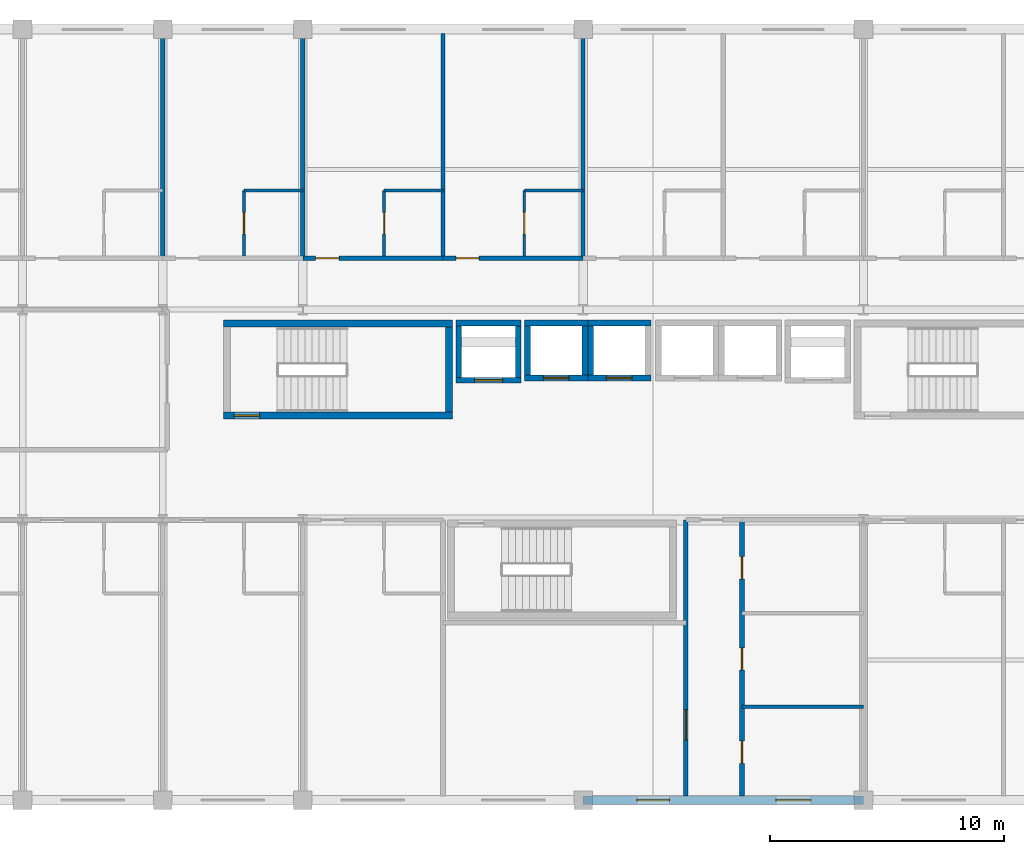
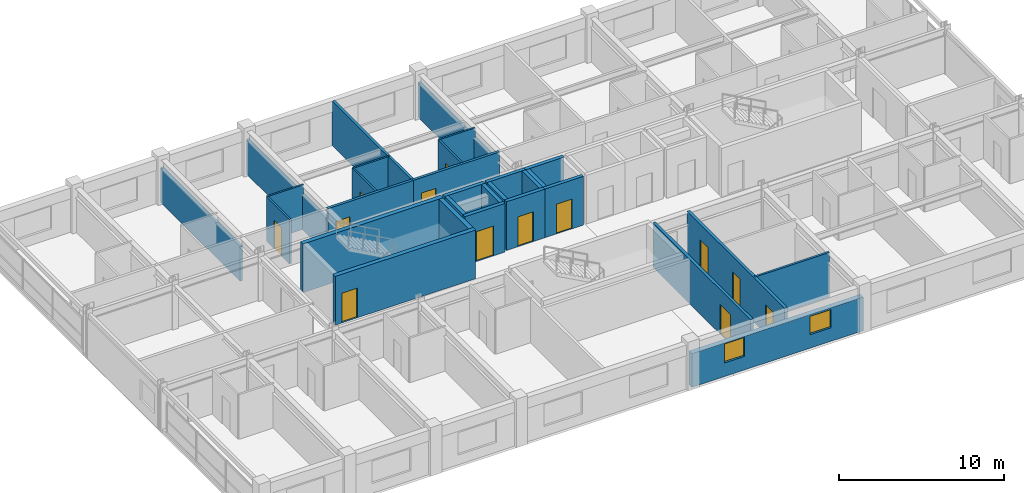
# One storey, part 22 of 26: 30 walls, 13 doors, 2 windows, 15 openings.
"""IFC4 building model written with IfcOpenShell, lengths in metres."""

import ifcopenshell
import ifcopenshell.guid

model = None  # the IFC model being written
_history = None  # IfcOwnerHistory: only IFC2X3 demands one
_inside = {}  # id of a spatial element -> (the spatial element, [elements in it])
_under = {}  # id of a project, library or spatial element -> (it, [spatial elements below it])
_declared = {}  # id of a project -> (the project, [libraries it declares])
_typed = {}  # id of a type object -> (the type object, [elements of that type])
_made_of = {}  # id of a material, layer set ... -> (it, [elements and type objects made of it])


def new_model(schema):
    """Start an empty IFC model of exactly this schema.

    Asked for "IFC4X3", IfcOpenShell would pick the latest addendum, in which some entities
    have other attributes; the version numbers below select the first issue.
    IFC2X3 requires an IfcOwnerHistory on every rooted entity: one is made here for all.
    """
    global model, _history
    if schema == "IFC4X3":
        model = ifcopenshell.file(schema_version=(4, 3, 0, 0))
    else:
        model = ifcopenshell.file(schema=schema)
    _inside.clear()
    _under.clear()
    _declared.clear()
    _typed.clear()
    _made_of.clear()
    _history = None
    if model.schema == "IFC2X3":
        org = make("IfcOrganization", Name="unknown")
        user = make(
            "IfcPersonAndOrganization",
            ThePerson=make("IfcPerson", FamilyName="unknown"),
            TheOrganization=org,
        )
        app = make(
            "IfcApplication",
            ApplicationDeveloper=org,
            Version="unknown",
            ApplicationFullName="unknown",
            ApplicationIdentifier="unknown",
        )
        _history = make(
            "IfcOwnerHistory",
            OwningUser=user,
            OwningApplication=app,
            ChangeAction="ADDED",
            CreationDate=0,
        )
    return model


def make(cls, **values):
    """One entity of the class cls with the attributes given. An attribute that is None is left unset."""
    return model.create_entity(
        cls, **{name: value for name, value in values.items() if value is not None}
    )


def rooted(cls, **values):
    """An entity with a GlobalId (a new one), such as an element, a storey or a relation."""
    return make(cls, GlobalId=ifcopenshell.guid.new(), OwnerHistory=_history, **values)


def si_unit(unit_type, name, prefix=None):
    """IfcSIUnit, for example si_unit("LENGTHUNIT", "METRE", prefix="MILLI")."""
    return make("IfcSIUnit", UnitType=unit_type, Prefix=prefix, Name=name)


def assignment(units):
    """IfcUnitAssignment: the units of a project."""
    return None if units is None else make("IfcUnitAssignment", Units=units)


def point(xyz):
    """IfcCartesianPoint."""
    return None if xyz is None else make("IfcCartesianPoint", Coordinates=xyz)


def direction(xyz):
    """IfcDirection."""
    return None if xyz is None else make("IfcDirection", DirectionRatios=xyz)


def frame(location, z_axis=None, x_axis=None):
    """IfcAxis2Placement3D, a coordinate frame: its origin and axes. An axis left out is left unset."""
    return make(
        "IfcAxis2Placement3D",
        Location=point(location),
        Axis=direction(z_axis),
        RefDirection=direction(x_axis),
    )


def frame_2d(location, x_axis=None):
    """IfcAxis2Placement2D, a coordinate frame in the plane: its origin and x axis."""
    return make(
        "IfcAxis2Placement2D", Location=point(location), RefDirection=direction(x_axis)
    )


def origin():
    """The frame at (0, 0, 0) with its axes left unset."""
    return frame((0.0, 0.0, 0.0))


def place(relative_to, where):
    """IfcLocalPlacement: puts the frame where relative to a parent placement (None: the world)."""
    return make(
        "IfcLocalPlacement", PlacementRelTo=relative_to, RelativePlacement=where
    )


def context(
    kind, dimensions, precision=None, world=None, true_north=None, identifier=None
):
    """IfcGeometricRepresentationContext, for example the 3D "Model" context."""
    return make(
        "IfcGeometricRepresentationContext",
        ContextIdentifier=identifier,
        ContextType=kind,
        CoordinateSpaceDimension=dimensions,
        Precision=precision,
        WorldCoordinateSystem=world,
        TrueNorth=true_north,
    )


def subcontext(parent, identifier, kind, view, scale=None):
    """IfcGeometricRepresentationSubContext, for example "Body" below "Model"."""
    return make(
        "IfcGeometricRepresentationSubContext",
        ContextIdentifier=identifier,
        ContextType=kind,
        ParentContext=parent,
        TargetScale=scale,
        TargetView=view,
    )


def project(units=None, contexts=None):
    """IfcProject with its units and contexts."""
    return rooted(
        "IfcProject",
        Name="project",
        RepresentationContexts=contexts,
        UnitsInContext=assignment(units),
    )


def spatial(cls, under=None, at=None, **own):
    """A site, building, storey or space (cls), placed at a placement, below another one or the project."""
    s = rooted(cls, ObjectPlacement=at, **own)
    if under is not None:
        _under.setdefault(under.id(), (under, []))[1].append(s)
    return s


def profile(cls, at=None, kind="AREA", **sizes):
    """A parametric profile (cls). Its sizes go by their IFC names, for example OverallWidth=200.0."""
    return make(cls, ProfileType=kind, Position=at, **sizes)


def rectangle(**sizes):
    """IfcRectangleProfileDef."""
    return profile("IfcRectangleProfileDef", **sizes)


def extrude(swept, where, along, depth):
    """IfcExtrudedAreaSolid: the profile swept, set in the frame where, extruded along a direction by depth."""
    return make(
        "IfcExtrudedAreaSolid",
        SweptArea=swept,
        Position=where,
        ExtrudedDirection=direction(along),
        Depth=depth,
    )


def shape(context_of_items, identifier, shape_type, items):
    """IfcShapeRepresentation: the items that make up one representation, for example the "Body"."""
    return make(
        "IfcShapeRepresentation",
        ContextOfItems=context_of_items,
        RepresentationIdentifier=identifier,
        RepresentationType=shape_type,
        Items=items,
    )


def material(Name=None, Category=None):
    """IfcMaterial."""
    return make("IfcMaterial", Name=Name, Category=Category)


def layer(
    of_material, thickness, ventilated=None, Name=None, Category=None, Priority=None
):
    """IfcMaterialLayer: one layer of a wall or slab, of a material (None: an air gap)."""
    return make(
        "IfcMaterialLayer",
        Material=of_material,
        LayerThickness=thickness,
        IsVentilated=ventilated,
        Name=Name,
        Category=Category,
        Priority=Priority,
    )


def layer_set(layers, Name=None):
    """IfcMaterialLayerSet."""
    return make("IfcMaterialLayerSet", MaterialLayers=layers, LayerSetName=Name)


def made_of(thing, what):
    """Note that an element or type object is made of a material, layer set ...; save() writes the relation."""
    if what is not None:
        _made_of.setdefault(what.id(), (what, []))[1].append(thing)
    return thing


def type_object(cls, material=None, **own):
    """A type object (cls), such as IfcWallType, which elements share."""
    return made_of(rooted(cls, **own), material)


def element(
    cls,
    number,
    at=None,
    inside=None,
    cuts=None,
    type_object=None,
    material=None,
    context=None,
    identifier="Body",
    shape_type=None,
    held_by="IfcProductDefinitionShape",
    body=None,
    shapes=None,
    **own,
):
    """One element of the class cls, such as IfcWall. Its Tag is "e" and its number.

    at: its placement. inside: the storey or other place that contains it. cuts: it is an
    opening in that element (IfcRelVoidsElement). A single representation is given by context,
    identifier, shape_type and body (its items); several are given by shapes. held_by: the class
    of the entity that holds the representations. save() writes the other relations.
    """
    e = rooted(cls, Tag="e%d" % number, ObjectPlacement=at, **own)
    if body is not None:
        shapes = [shape(context, identifier, shape_type, body)]
    if shapes is not None:
        e.Representation = make(held_by, Representations=shapes)
    if inside is not None:
        _inside.setdefault(inside.id(), (inside, []))[1].append(e)
    if cuts is not None:
        rooted(
            "IfcRelVoidsElement", RelatingBuildingElement=cuts, RelatedOpeningElement=e
        )
    if type_object is not None:
        _typed.setdefault(type_object.id(), (type_object, []))[1].append(e)
    return made_of(e, material)


def fill(opening, filler):
    """IfcRelFillsElement: the door or window that sits in an opening."""
    return rooted(
        "IfcRelFillsElement",
        RelatingOpeningElement=opening,
        RelatedBuildingElement=filler,
    )


def aggregate(whole, parts):
    """IfcRelAggregates: a whole, such as a stair, and the parts it consists of."""
    return rooted("IfcRelAggregates", RelatingObject=whole, RelatedObjects=parts)


def save(model, path):
    """Write the relations noted so far, then the file.

    IfcRelAggregates (storeys below a building ...), IfcRelContainedInSpatialStructure (elements
    in a storey), IfcRelDefinesByType, IfcRelAssociatesMaterial and IfcRelDeclares: one each for
    every whole, place, type object, material and project.
    """
    for whole, parts in _under.values():
        aggregate(whole, parts)
    for where, things in _inside.values():
        rooted(
            "IfcRelContainedInSpatialStructure",
            RelatedElements=things,
            RelatingStructure=where,
        )
    for kind, things in _typed.values():
        rooted("IfcRelDefinesByType", RelatedObjects=things, RelatingType=kind)
    for what, things in _made_of.values():
        rooted("IfcRelAssociatesMaterial", RelatedObjects=things, RelatingMaterial=what)
    for by, libraries in _declared.values():
        rooted("IfcRelDeclares", RelatingContext=by, RelatedDefinitions=libraries)
    model.write(path)


model = new_model("IFC4")

# Units and contexts
model_context = context("Model", 3, precision=1e-05, world=origin(), true_north=direction((0.0, 1.0)))
body_context = subcontext(model_context, "Body", "Model", "MODEL_VIEW")
ifc_project = project(units=[si_unit("LENGTHUNIT", "METRE"), si_unit("AREAUNIT", "SQUARE_METRE"), si_unit("VOLUMEUNIT", "CUBIC_METRE"), si_unit("PLANEANGLEUNIT", "RADIAN"), si_unit("MASSUNIT", "GRAM", prefix="KILO")], contexts=[model_context])

# Site, building, storey
site_placement = place(None, origin())
site = spatial("IfcSite", under=ifc_project, at=site_placement, CompositionType="ELEMENT")
building_placement = place(site_placement, origin())
building = spatial("IfcBuilding", under=site, at=building_placement, Name="Kaldorvane Square Convention Centre", CompositionType="ELEMENT")
storey_placement = place(building_placement, frame((0.0, 0.0, 42.0)))
storey = spatial("IfcBuildingStorey", under=building, at=storey_placement, Name="L09", CompositionType="ELEMENT", Elevation=42.0)

# Wall, opening, door
ifc_material_1 = material(Name="Fire-Rated Gypsum Board on Acoustic Steel Studs", Category="steel")
ifc_layer_1 = layer(ifc_material_1, 0.125)
ifc_layer_set_1 = layer_set([ifc_layer_1], Name="Fire-Rated Gypsum Board on Acoustic Steel Studs")
wall_type_1 = type_object("IfcWallType", Name="WL-BATH-125", PredefinedType="PARTITIONING", material=ifc_layer_set_1)
wall_1_placement = place(storey_placement, frame((39.47999572753906, 107.28999328613281, 0.0), z_axis=(0.0, 0.0, 1.0), x_axis=(0.0, 1.0, 0.0)))
wall_1 = element("IfcWall", 1, at=wall_1_placement, inside=storey, type_object=wall_type_1, Name="En-Suite 903 West Wall", PredefinedType="PARTITIONING", context=body_context, shape_type="SweptSolid", body=[
    extrude(rectangle(XDim=2.8100128173828125, YDim=0.125, at=frame_2d((1.404998779296875, 0.0))), origin(), (0.0, 0.0, 1.0), 3.2899932861328125),
])
opening_1_placement = place(wall_1_placement, frame((0.9499969482421875, 0.0, 0.0)))
opening_1 = element("IfcOpeningElement", 2, at=opening_1_placement, cuts=wall_1, Name="Opening ID-12", PredefinedType="OPENING", context=body_context, shape_type="SweptSolid", body=[
    extrude(rectangle(XDim=0.9199981689453125, YDim=2.100006103515625, at=frame_2d((0.459991455078125, 1.0500030517578125))), frame((0.0, 0.0774993896484375, 0.0), z_axis=(0.0, -1.0, 0.0), x_axis=(1.0, 0.0, 0.0)), (0.0, 0.0, 1.0), 0.154998779296875),
])
ifc_material_2 = material(Name="Architectural Solid-Core White Oak")
door_type_1 = type_object("IfcDoorType", Name="DR-BATH-0920X2100", OperationType="SINGLE_SWING_RIGHT", PredefinedType="DOOR", material=ifc_material_2)
door_1_placement = place(opening_1_placement, origin())
door_1 = element("IfcDoor", 3, at=door_1_placement, inside=storey, type_object=door_type_1, Name="En-Suite Bathroom 903 Door", OperationType="SINGLE_SWING_RIGHT", OverallHeight=2.100006103515625, OverallWidth=0.9199981689453125, PredefinedType="DOOR", context=body_context, shape_type="SweptSolid", body=[
    extrude(rectangle(XDim=0.9199981689453125, YDim=2.100006103515625, at=frame_2d((0.459991455078125, 1.0500030517578125))), frame((0.0, 0.024993896484375, 0.0), z_axis=(0.0, -1.0, 0.0), x_axis=(1.0, 0.0, 0.0)), (0.0, 0.0, 1.0), 0.0500030517578125),
])
fill(opening_1, door_1)

# Wall
wall_2_placement = place(storey_placement, frame((39.47999572753906, 110.10000610351562, 0.0), z_axis=(0.0, 0.0, 1.0), x_axis=(1.0, 0.0, 0.0)))
element("IfcWall", 4, at=wall_2_placement, inside=storey, type_object=wall_type_1, Name="En-Suite 903 North Wall", PredefinedType="PARTITIONING", context=body_context, shape_type="SweptSolid", body=[
    extrude(rectangle(XDim=2.5200042724609375, YDim=0.125, at=frame_2d((1.260009765625, 0.0))), origin(), (0.0, 0.0, 1.0), 3.2899932861328125),
])

# Wall, opening, door
wall_3_placement = place(storey_placement, frame((45.47999572753906, 107.28999328613281, 0.0), z_axis=(0.0, 0.0, 1.0), x_axis=(0.0, 1.0, 0.0)))
wall_3 = element("IfcWall", 5, at=wall_3_placement, inside=storey, type_object=wall_type_1, Name="En-Suite 904 West Wall", PredefinedType="PARTITIONING", context=body_context, shape_type="SweptSolid", body=[
    extrude(rectangle(XDim=2.8100128173828125, YDim=0.125, at=frame_2d((1.404998779296875, 0.0))), origin(), (0.0, 0.0, 1.0), 3.2899932861328125),
])
opening_2_placement = place(wall_3_placement, frame((0.9499969482421875, 0.0, 0.0)))
opening_2 = element("IfcOpeningElement", 6, at=opening_2_placement, cuts=wall_3, Name="Opening ID-12", PredefinedType="OPENING", context=body_context, shape_type="SweptSolid", body=[
    extrude(rectangle(XDim=0.9199981689453125, YDim=2.100006103515625, at=frame_2d((0.459991455078125, 1.0500030517578125))), frame((0.0, 0.0774993896484375, 0.0), z_axis=(0.0, -1.0, 0.0), x_axis=(1.0, 0.0, 0.0)), (0.0, 0.0, 1.0), 0.154998779296875),
])
door_2_placement = place(opening_2_placement, origin())
door_2 = element("IfcDoor", 7, at=door_2_placement, inside=storey, type_object=door_type_1, Name="En-Suite Bathroom 904 Door", OperationType="SINGLE_SWING_RIGHT", OverallHeight=2.100006103515625, OverallWidth=0.9199981689453125, PredefinedType="DOOR", context=body_context, shape_type="SweptSolid", body=[
    extrude(rectangle(XDim=0.9199981689453125, YDim=2.100006103515625, at=frame_2d((0.459991455078125, 1.0500030517578125))), frame((0.0, 0.024993896484375, 0.0), z_axis=(0.0, -1.0, 0.0), x_axis=(1.0, 0.0, 0.0)), (0.0, 0.0, 1.0), 0.0500030517578125),
])
fill(opening_2, door_2)

# Wall
wall_4_placement = place(storey_placement, frame((45.47999572753906, 110.10000610351562, 0.0), z_axis=(0.0, 0.0, 1.0), x_axis=(1.0, 0.0, 0.0)))
element("IfcWall", 8, at=wall_4_placement, inside=storey, type_object=wall_type_1, Name="En-Suite 904 North Wall", PredefinedType="PARTITIONING", context=body_context, shape_type="SweptSolid", body=[
    extrude(rectangle(XDim=2.5200042724609375, YDim=0.125, at=frame_2d((1.260009765625, 0.0))), origin(), (0.0, 0.0, 1.0), 3.2899932861328125),
])

# Wall, opening, door
wall_5_placement = place(storey_placement, frame((51.47999572753906, 107.28999328613281, 0.0), z_axis=(0.0, 0.0, 1.0), x_axis=(0.0, 1.0, 0.0)))
wall_5 = element("IfcWall", 9, at=wall_5_placement, inside=storey, type_object=wall_type_1, Name="En-Suite 905 West Wall", PredefinedType="PARTITIONING", context=body_context, shape_type="SweptSolid", body=[
    extrude(rectangle(XDim=2.8100128173828125, YDim=0.125, at=frame_2d((1.404998779296875, 0.0))), origin(), (0.0, 0.0, 1.0), 3.2899932861328125),
])
opening_3_placement = place(wall_5_placement, frame((0.9499969482421875, 0.0, 0.0)))
opening_3 = element("IfcOpeningElement", 10, at=opening_3_placement, cuts=wall_5, Name="Opening ID-12", PredefinedType="OPENING", context=body_context, shape_type="SweptSolid", body=[
    extrude(rectangle(XDim=0.9199981689453125, YDim=2.100006103515625, at=frame_2d((0.459991455078125, 1.0500030517578125))), frame((0.0, 0.0774993896484375, 0.0), z_axis=(0.0, -1.0, 0.0), x_axis=(1.0, 0.0, 0.0)), (0.0, 0.0, 1.0), 0.154998779296875),
])
door_3_placement = place(opening_3_placement, origin())
door_3 = element("IfcDoor", 11, at=door_3_placement, inside=storey, type_object=door_type_1, Name="En-Suite Bathroom 905 Door", OperationType="SINGLE_SWING_RIGHT", OverallHeight=2.100006103515625, OverallWidth=0.9199981689453125, PredefinedType="DOOR", context=body_context, shape_type="SweptSolid", body=[
    extrude(rectangle(XDim=0.9199981689453125, YDim=2.100006103515625, at=frame_2d((0.459991455078125, 1.0500030517578125))), frame((0.0, 0.024993896484375, 0.0), z_axis=(0.0, -1.0, 0.0), x_axis=(1.0, 0.0, 0.0)), (0.0, 0.0, 1.0), 0.0500030517578125),
])
fill(opening_3, door_3)

# Wall
wall_6_placement = place(storey_placement, frame((51.47999572753906, 110.10000610351562, 0.0), z_axis=(0.0, 0.0, 1.0), x_axis=(1.0, 0.0, 0.0)))
element("IfcWall", 12, at=wall_6_placement, inside=storey, type_object=wall_type_1, Name="En-Suite 905 North Wall", PredefinedType="PARTITIONING", context=body_context, shape_type="SweptSolid", body=[
    extrude(rectangle(XDim=2.5200042724609375, YDim=0.125, at=frame_2d((1.260009765625, 0.0))), origin(), (0.0, 0.0, 1.0), 3.2899932861328125),
])

# Wall, opening, door
ifc_layer_2 = layer(ifc_material_1, 0.1999969482421875)
ifc_layer_set_2 = layer_set([ifc_layer_2], Name="Fire-Rated Gypsum Board on Acoustic Steel Studs")
wall_type_2 = type_object("IfcWallType", Name="WL-CORR-200", PredefinedType="PARTITIONING", material=ifc_layer_set_2)
wall_7_placement = place(storey_placement, frame((58.399993896484375, 84.17500305175781, 0.0), z_axis=(0.0, 0.0, 1.0), x_axis=(0.0, 1.0, 0.0)))
wall_7 = element("IfcWall", 13, at=wall_7_placement, inside=storey, type_object=wall_type_2, Name="Restroom Vestibule West Wall (L09)", PredefinedType="PARTITIONING", context=body_context, shape_type="SweptSolid", body=[
    extrude(rectangle(XDim=11.824996948242188, YDim=0.1999969482421875, at=frame_2d((5.912506103515625, 0.0))), origin(), (0.0, 0.0, 1.0), 3.2899932861328125),
])
opening_4_placement = place(wall_7_placement, frame((2.399993896484375, 0.0, 0.0)))
opening_4 = element("IfcOpeningElement", 14, at=opening_4_placement, cuts=wall_7, Name="Opening ID-09", PredefinedType="OPENING", context=body_context, shape_type="SweptSolid", body=[
    extrude(rectangle(XDim=1.3000030517578125, YDim=2.1999969482421875, at=frame_2d((0.649993896484375, 1.100006103515625))), frame((0.0, 0.114990234375, 0.0), z_axis=(0.0, -1.0, 0.0), x_axis=(1.0, 0.0, 0.0)), (0.0, 0.0, 1.0), 0.2299957275390625),
])
ifc_material_3 = material(Name="Insulated Hollow Metal Steel", Category="steel")
door_type_2 = type_object("IfcDoorType", Name="DR-SVC-1300X2200", OperationType="DOUBLE_DOOR_SINGLE_SWING", PredefinedType="DOOR", material=ifc_material_3)
door_4_placement = place(opening_4_placement, origin())
door_4 = element("IfcDoor", 15, at=door_4_placement, inside=storey, type_object=door_type_2, Name="Housekeeping and Linen Room (L09) Door", OperationType="DOUBLE_DOOR_SINGLE_SWING", OverallHeight=2.1999969482421875, OverallWidth=1.3000030517578125, PredefinedType="DOOR", context=body_context, shape_type="SweptSolid", body=[
    extrude(rectangle(XDim=1.3000030517578125, YDim=2.1999969482421875, at=frame_2d((0.649993896484375, 1.100006103515625))), frame((0.0, 0.024993896484375, 0.0), z_axis=(0.0, -1.0, 0.0), x_axis=(1.0, 0.0, 0.0)), (0.0, 0.0, 1.0), 0.0500030517578125),
])
fill(opening_4, door_4)

# Wall, openings, doors
wall_8_placement = place(storey_placement, frame((60.80000305175781, 84.17500305175781, 0.0), z_axis=(0.0, 0.0, 1.0), x_axis=(0.0, 1.0, 0.0)))
wall_8 = element("IfcWall", 16, at=wall_8_placement, inside=storey, type_object=wall_type_2, Name="Restroom Vestibule East Wall (L09)", PredefinedType="PARTITIONING", context=body_context, shape_type="SweptSolid", body=[
    extrude(rectangle(XDim=11.824996948242188, YDim=0.1999969482421875, at=frame_2d((5.912506103515625, 0.0))), origin(), (0.0, 0.0, 1.0), 3.2899932861328125),
])
opening_5_placement = place(wall_8_placement, frame((1.399993896484375, 0.0, 0.0)))
opening_5 = element("IfcOpeningElement", 17, at=opening_5_placement, cuts=wall_8, Name="Opening ID-13", PredefinedType="OPENING", context=body_context, shape_type="SweptSolid", body=[
    extrude(rectangle(XDim=0.9499969482421875, YDim=2.149993896484375, at=frame_2d((0.475006103515625, 1.0749969482421875))), frame((0.0, 0.114990234375, 0.0), z_axis=(0.0, -1.0, 0.0), x_axis=(1.0, 0.0, 0.0)), (0.0, 0.0, 1.0), 0.2299957275390625),
])
opening_6_placement = place(wall_8_placement, frame((5.399993896484375, 0.0, 0.0)))
opening_6 = element("IfcOpeningElement", 18, at=opening_6_placement, cuts=wall_8, Name="Opening ID-13", PredefinedType="OPENING", context=body_context, shape_type="SweptSolid", body=[
    extrude(rectangle(XDim=0.9499969482421875, YDim=2.149993896484375, at=frame_2d((0.475006103515625, 1.0749969482421875))), frame((0.0, 0.114990234375, 0.0), z_axis=(0.0, -1.0, 0.0), x_axis=(1.0, 0.0, 0.0)), (0.0, 0.0, 1.0), 0.2299957275390625),
])
opening_7_placement = place(wall_8_placement, frame((9.300003051757812, 0.0, 0.0)))
opening_7 = element("IfcOpeningElement", 19, at=opening_7_placement, cuts=wall_8, Name="Opening ID-13", PredefinedType="OPENING", context=body_context, shape_type="SweptSolid", body=[
    extrude(rectangle(XDim=0.9499969482421875, YDim=2.149993896484375, at=frame_2d((0.475006103515625, 1.0749969482421875))), frame((0.0, 0.114990234375, 0.0), z_axis=(0.0, -1.0, 0.0), x_axis=(1.0, 0.0, 0.0)), (0.0, 0.0, 1.0), 0.2299957275390625),
])
door_type_3 = type_object("IfcDoorType", Name="DR-WC-0950X2150", OperationType="SINGLE_SWING_LEFT", PredefinedType="DOOR", material=ifc_material_2)
door_5_placement = place(opening_5_placement, origin())
door_5 = element("IfcDoor", 20, at=door_5_placement, inside=storey, type_object=door_type_3, Name="Accessible Restroom Door (L09)", OperationType="SINGLE_SWING_LEFT", OverallHeight=2.149993896484375, OverallWidth=0.9499969482421875, PredefinedType="DOOR", context=body_context, shape_type="SweptSolid", body=[
    extrude(rectangle(XDim=0.9499969482421875, YDim=2.149993896484375, at=frame_2d((0.475006103515625, 1.0749969482421875))), frame((0.0, 0.024993896484375, 0.0), z_axis=(0.0, -1.0, 0.0), x_axis=(1.0, 0.0, 0.0)), (0.0, 0.0, 1.0), 0.0500030517578125),
])
fill(opening_5, door_5)
door_6_placement = place(opening_6_placement, origin())
door_6 = element("IfcDoor", 21, at=door_6_placement, inside=storey, type_object=door_type_3, Name="Men's Restroom Door (L09)", OperationType="SINGLE_SWING_LEFT", OverallHeight=2.149993896484375, OverallWidth=0.9499969482421875, PredefinedType="DOOR", context=body_context, shape_type="SweptSolid", body=[
    extrude(rectangle(XDim=0.9499969482421875, YDim=2.149993896484375, at=frame_2d((0.475006103515625, 1.0749969482421875))), frame((0.0, 0.024993896484375, 0.0), z_axis=(0.0, -1.0, 0.0), x_axis=(1.0, 0.0, 0.0)), (0.0, 0.0, 1.0), 0.0500030517578125),
])
fill(opening_6, door_6)
door_7_placement = place(opening_7_placement, origin())
door_7 = element("IfcDoor", 22, at=door_7_placement, inside=storey, type_object=door_type_3, Name="Women's Restroom Door (L09)", OperationType="SINGLE_SWING_LEFT", OverallHeight=2.149993896484375, OverallWidth=0.9499969482421875, PredefinedType="DOOR", context=body_context, shape_type="SweptSolid", body=[
    extrude(rectangle(XDim=0.9499969482421875, YDim=2.149993896484375, at=frame_2d((0.475006103515625, 1.0749969482421875))), frame((0.0, 0.024993896484375, 0.0), z_axis=(0.0, -1.0, 0.0), x_axis=(1.0, 0.0, 0.0)), (0.0, 0.0, 1.0), 0.0500030517578125),
])
fill(opening_7, door_7)

# Wall, openings, windows
ifc_material_4 = material(Name="Concrete f'c = 42 MPa (Normalweight)", Category="concrete")
ifc_layer_3 = layer(ifc_material_4, 0.350006103515625)
ifc_layer_set_3 = layer_set([ifc_layer_3], Name="Concrete f'c = 42 MPa (Normalweight)")
wall_type_3 = type_object("IfcWallType", Name="WL-EXT-350", PredefinedType="STANDARD", material=ifc_layer_set_3)
wall_9_placement = place(storey_placement, frame((54.0, 84.0, 0.0), z_axis=(0.0, 0.0, 1.0), x_axis=(1.0, 0.0, 0.0)))
wall_9 = element("IfcWall", 23, at=wall_9_placement, inside=storey, type_object=wall_type_3, Name="Hotel S Brutalist Facade Wall (L09)", PredefinedType="STANDARD", context=body_context, shape_type="SweptSolid", body=[
    extrude(rectangle(XDim=12.0, YDim=0.350006103515625, at=frame_2d((6.0, 0.0))), origin(), (0.0, 0.0, 1.0), 2.485992431640625),
])
opening_8_placement = place(wall_9_placement, frame((2.3000030517578125, 0.0, 1.0)))
opening_8 = element("IfcOpeningElement", 24, at=opening_8_placement, cuts=wall_9, Name="Opening W-13", PredefinedType="OPENING", context=body_context, shape_type="SweptSolid", body=[
    extrude(rectangle(XDim=1.399993896484375, YDim=1.399993896484375, at=frame_2d((0.6999969482421875, 0.6999969482421875))), frame((0.0, 0.19000244140625, 0.0), z_axis=(0.0, -1.0, 0.0), x_axis=(1.0, 0.0, 0.0)), (0.0, 0.0, 1.0), 0.3800048828125),
])
opening_9_placement = place(wall_9_placement, frame((8.25, 0.0, 1.0)))
opening_9 = element("IfcOpeningElement", 25, at=opening_9_placement, cuts=wall_9, Name="Opening W-14", PredefinedType="OPENING", context=body_context, shape_type="SweptSolid", body=[
    extrude(rectangle(XDim=1.5, YDim=1.350006103515625, at=frame_2d((0.75, 0.6750030517578125))), frame((0.0, 0.19000244140625, 0.0), z_axis=(0.0, -1.0, 0.0), x_axis=(1.0, 0.0, 0.0)), (0.0, 0.0, 1.0), 0.3800048828125),
])
ifc_material_5 = material(Name="Anodized Aluminum and Low-E Insulated Glazing", Category="aluminium")
window_type_1 = type_object("IfcWindowType", Name="WN-HTL-1400X1400", PartitioningType="SINGLE_PANEL", PredefinedType="WINDOW", material=ifc_material_5)
window_1_placement = place(opening_8_placement, origin())
window_1 = element("IfcWindow", 26, at=window_1_placement, inside=storey, type_object=window_type_1, Name="Hotel S Window (L09)", OverallHeight=1.399993896484375, OverallWidth=1.399993896484375, PartitioningType="SINGLE_PANEL", PredefinedType="WINDOW", context=body_context, shape_type="SweptSolid", body=[
    extrude(rectangle(XDim=1.399993896484375, YDim=1.399993896484375, at=frame_2d((0.6999969482421875, 0.6999969482421875))), frame((0.0, 0.029998779296875, 0.0), z_axis=(0.0, -1.0, 0.0), x_axis=(1.0, 0.0, 0.0)), (0.0, 0.0, 1.0), 0.05999755859375),
])
fill(opening_8, window_1)
window_type_2 = type_object("IfcWindowType", Name="WN-HTL-1500X1350", PartitioningType="SINGLE_PANEL", PredefinedType="WINDOW", material=ifc_material_5)
window_2_placement = place(opening_9_placement, origin())
window_2 = element("IfcWindow", 27, at=window_2_placement, inside=storey, type_object=window_type_2, Name="Hotel S Window (L09)", OverallHeight=1.350006103515625, OverallWidth=1.5, PartitioningType="SINGLE_PANEL", PredefinedType="WINDOW", context=body_context, shape_type="SweptSolid", body=[
    extrude(rectangle(XDim=1.5, YDim=1.350006103515625, at=frame_2d((0.75, 0.6750030517578125))), frame((0.0, 0.029998779296875, 0.0), z_axis=(0.0, -1.0, 0.0), x_axis=(1.0, 0.0, 0.0)), (0.0, 0.0, 1.0), 0.05999755859375),
])
fill(opening_9, window_2)

# Wall
ifc_layer_4 = layer(ifc_material_1, 0.149993896484375)
ifc_layer_set_4 = layer_set([ifc_layer_4], Name="Fire-Rated Gypsum Board on Acoustic Steel Studs")
wall_type_4 = type_object("IfcWallType", Name="WL-PART-150", PredefinedType="PARTITIONING", material=ifc_layer_set_4)
wall_10_placement = place(storey_placement, frame((60.80000305175781, 88.0, 0.0), z_axis=(0.0, 0.0, 1.0), x_axis=(1.0, 0.0, 0.0)))
element("IfcWall", 28, at=wall_10_placement, inside=storey, type_object=wall_type_4, Name="Restroom Partition 1 (L09)", PredefinedType="PARTITIONING", context=body_context, shape_type="SweptSolid", body=[
    extrude(rectangle(XDim=5.1999969482421875, YDim=0.149993896484375, at=frame_2d((2.600006103515625, 0.0))), origin(), (0.0, 0.0, 1.0), 3.2899932861328125),
])

# Wall, opening, door
ifc_material_6 = material(Name="Concrete f'c = 55 MPa (Normalweight)", Category="concrete")
ifc_layer_5 = layer(ifc_material_6, 0.3000030517578125)
ifc_layer_set_5 = layer_set([ifc_layer_5], Name="Concrete f'c = 55 MPa (Normalweight)")
wall_type_5 = type_object("IfcWallType", Name="WL-SHAFT-300", PredefinedType="SHEAR", material=ifc_layer_set_5)
wall_11_placement = place(storey_placement, frame((38.600006103515625, 100.46000671386719, 0.0), z_axis=(0.0, 0.0, 1.0), x_axis=(1.0, 0.0, 0.0)))
wall_11 = element("IfcWall", 29, at=wall_11_placement, inside=storey, type_object=wall_type_5, Name="Core Enclosure Wall stair:ST-T1-S (L09)", PredefinedType="SHEAR", context=body_context, shape_type="SweptSolid", body=[
    extrude(rectangle(XDim=9.79998779296875, YDim=0.3000030517578125, at=frame_2d((4.899993896484375, 0.0))), origin(), (0.0, 0.0, 1.0), 3.600006103515625),
])
opening_10_placement = place(wall_11_placement, frame((0.4499969482421875, 0.0, 0.0)))
opening_10 = element("IfcOpeningElement", 30, at=opening_10_placement, cuts=wall_11, Name="Opening FD90-S1", PredefinedType="OPENING", context=body_context, shape_type="SweptSolid", body=[
    extrude(rectangle(XDim=1.100006103515625, YDim=2.1999969482421875, at=frame_2d((0.5500030517578125, 1.100006103515625))), frame((0.0, 0.165008544921875, 0.0), z_axis=(0.0, -1.0, 0.0), x_axis=(1.0, 0.0, 0.0)), (0.0, 0.0, 1.0), 0.3300018310546875),
])
ifc_material_7 = material(Name="Fire-Rated Hollow Metal Steel", Category="steel")
door_type_4 = type_object("IfcDoorType", Name="DR-STAIR-1100", OperationType="SINGLE_SWING_RIGHT", PredefinedType="DOOR", material=ifc_material_7)
door_8_placement = place(opening_10_placement, origin())
door_8 = element("IfcDoor", 31, at=door_8_placement, inside=storey, type_object=door_type_4, Name="Tower Exit Stair T1 Fire Door (L09)", OperationType="SINGLE_SWING_RIGHT", OverallHeight=2.1999969482421875, OverallWidth=1.100006103515625, PredefinedType="DOOR", context=body_context, shape_type="SweptSolid", body=[
    extrude(rectangle(XDim=1.100006103515625, YDim=2.1999969482421875, at=frame_2d((0.5500030517578125, 1.100006103515625))), frame((0.0, 0.024993896484375, 0.0), z_axis=(0.0, -1.0, 0.0), x_axis=(1.0, 0.0, 0.0)), (0.0, 0.0, 1.0), 0.0500030517578125),
])
fill(opening_10, door_8)

# Walls
wall_12_placement = place(storey_placement, frame((48.399993896484375, 104.39999389648438, 0.0), z_axis=(0.0, 0.0, 1.0), x_axis=(-1.0, 0.0, 0.0)))
element("IfcWall", 32, at=wall_12_placement, inside=storey, type_object=wall_type_5, Name="Core Enclosure Wall stair:ST-T1-N (L09)", PredefinedType="SHEAR", context=body_context, shape_type="SweptSolid", body=[
    extrude(rectangle(XDim=9.79998779296875, YDim=0.3000030517578125, at=frame_2d((4.899993896484375, 0.0))), origin(), (0.0, 0.0, 1.0), 3.600006103515625),
])
wall_13_placement = place(storey_placement, frame((48.25, 100.61000061035156, 0.0), z_axis=(0.0, 0.0, 1.0), x_axis=(0.0, 1.0, 0.0)))
element("IfcWall", 33, at=wall_13_placement, inside=storey, type_object=wall_type_5, Name="Core Enclosure Wall stair:ST-T1-E (L09)", PredefinedType="SHEAR", context=body_context, shape_type="SweptSolid", body=[
    extrude(rectangle(XDim=3.6399993896484375, YDim=0.3000030517578125, at=frame_2d((1.82000732421875, 0.0))), origin(), (0.0, 0.0, 1.0), 3.600006103515625),
])

# Wall, opening, door
wall_14_placement = place(storey_placement, frame((48.55000305175781, 101.97500610351562, 0.0), z_axis=(0.0, 0.0, 1.0), x_axis=(1.0, 0.0, 0.0)))
wall_14 = element("IfcWall", 34, at=wall_14_placement, inside=storey, type_object=wall_type_5, Name="Core Enclosure Wall lift:FSAE-01-S (L09)", PredefinedType="SHEAR", context=body_context, shape_type="SweptSolid", body=[
    extrude(rectangle(XDim=2.8000030517578125, YDim=0.25, at=frame_2d((1.399993896484375, 0.0))), origin(), (0.0, 0.0, 1.0), 3.600006103515625),
])
opening_11_placement = place(wall_14_placement, frame((0.8000030517578125, 0.0, 0.0)))
opening_11 = element("IfcOpeningElement", 35, at=opening_11_placement, cuts=wall_14, Name="Opening LD-02", PredefinedType="OPENING", context=body_context, shape_type="SweptSolid", body=[
    extrude(rectangle(XDim=1.1999969482421875, YDim=2.1999969482421875, at=frame_2d((0.600006103515625, 1.100006103515625))), frame((0.0, 0.1399993896484375, 0.0), z_axis=(0.0, -1.0, 0.0), x_axis=(1.0, 0.0, 0.0)), (0.0, 0.0, 1.0), 0.279998779296875),
])
ifc_material_8 = material(Name="Stainless Steel Elevator Door Assembly", Category="steel")
door_type_5 = type_object("IfcDoorType", Name="DR-LIFT-1200", OperationType="DOUBLE_DOOR_SLIDING", PredefinedType="DOOR", material=ifc_material_8)
door_9_placement = place(opening_11_placement, origin())
door_9 = element("IfcDoor", 36, at=door_9_placement, inside=storey, type_object=door_type_5, Name="Elevator Landing Door FSAE-01 (L09)", OperationType="DOUBLE_DOOR_SLIDING", OverallHeight=2.1999969482421875, OverallWidth=1.1999969482421875, PredefinedType="DOOR", context=body_context, shape_type="SweptSolid", body=[
    extrude(rectangle(XDim=1.1999969482421875, YDim=2.1999969482421875, at=frame_2d((0.600006103515625, 1.100006103515625))), frame((0.0, 0.024993896484375, 0.0), z_axis=(0.0, -1.0, 0.0), x_axis=(1.0, 0.0, 0.0)), (0.0, 0.0, 1.0), 0.0500030517578125),
])
fill(opening_11, door_9)

# Walls
wall_15_placement = place(storey_placement, frame((51.350006103515625, 104.42500305175781, 0.0), z_axis=(0.0, 0.0, 1.0), x_axis=(-1.0, 0.0, 0.0)))
element("IfcWall", 37, at=wall_15_placement, inside=storey, type_object=wall_type_5, Name="Core Enclosure Wall lift:FSAE-01-N (L09)", PredefinedType="SHEAR", context=body_context, shape_type="SweptSolid", body=[
    extrude(rectangle(XDim=2.8000030517578125, YDim=0.25, at=frame_2d((1.399993896484375, 0.0))), origin(), (0.0, 0.0, 1.0), 3.600006103515625),
])
for number, where, z_axis, x_axis, name in (
    (38, (48.67500305175781, 104.30000305175781, 0.0), (0.0, 0.0, 1.0), (0.0, -1.0, 0.0), "Core Enclosure Wall lift:FSAE-01-W (L09)"),
    (39, (51.225006103515625, 102.10000610351562, 0.0), (0.0, 0.0, 1.0), (0.0, 1.0, 0.0), "Core Enclosure Wall lift:FSAE-01-E (L09)"),
):
    element("IfcWall", number, at=place(storey_placement, frame(where, z_axis=z_axis, x_axis=x_axis)), inside=storey, type_object=wall_type_5, Name=name, PredefinedType="SHEAR", context=body_context, shape_type="SweptSolid", body=[
        extrude(rectangle(XDim=2.1999969482421875, YDim=0.25, at=frame_2d((1.100006103515625, 0.0))), origin(), (0.0, 0.0, 1.0), 3.600006103515625),
    ])

# Wall, opening, door
wall_16_placement = place(storey_placement, frame((51.5, 102.07499694824219, 0.0), z_axis=(0.0, 0.0, 1.0), x_axis=(1.0, 0.0, 0.0)))
wall_16 = element("IfcWall", 40, at=wall_16_placement, inside=storey, type_object=wall_type_5, Name="Core Enclosure Wall lift:EL-P1-S (L09)", PredefinedType="SHEAR", context=body_context, shape_type="SweptSolid", body=[
    extrude(rectangle(XDim=2.6999969482421875, YDim=0.25, at=frame_2d((1.350006103515625, 0.0))), origin(), (0.0, 0.0, 1.0), 3.600006103515625),
])
opening_12_placement = place(wall_16_placement, frame((0.8000030517578125, 0.0, 0.0)))
opening_12 = element("IfcOpeningElement", 41, at=opening_12_placement, cuts=wall_16, Name="Opening LD-01", PredefinedType="OPENING", context=body_context, shape_type="SweptSolid", body=[
    extrude(rectangle(XDim=1.100006103515625, YDim=2.1999969482421875, at=frame_2d((0.5500030517578125, 1.100006103515625))), frame((0.0, 0.1399993896484375, 0.0), z_axis=(0.0, -1.0, 0.0), x_axis=(1.0, 0.0, 0.0)), (0.0, 0.0, 1.0), 0.279998779296875),
])
door_type_6 = type_object("IfcDoorType", Name="DR-LIFT-1100", OperationType="DOUBLE_DOOR_SLIDING", PredefinedType="DOOR", material=ifc_material_8)
door_10_placement = place(opening_12_placement, origin())
door_10 = element("IfcDoor", 42, at=door_10_placement, inside=storey, type_object=door_type_6, Name="Elevator Landing Door EL-P1 (L09)", OperationType="DOUBLE_DOOR_SLIDING", OverallHeight=2.1999969482421875, OverallWidth=1.100006103515625, PredefinedType="DOOR", context=body_context, shape_type="SweptSolid", body=[
    extrude(rectangle(XDim=1.100006103515625, YDim=2.1999969482421875, at=frame_2d((0.5500030517578125, 1.100006103515625))), frame((0.0, 0.024993896484375, 0.0), z_axis=(0.0, -1.0, 0.0), x_axis=(1.0, 0.0, 0.0)), (0.0, 0.0, 1.0), 0.0500030517578125),
])
fill(opening_12, door_10)

# Walls
wall_17_placement = place(storey_placement, frame((54.19999694824219, 104.42500305175781, 0.0), z_axis=(0.0, 0.0, 1.0), x_axis=(-1.0, 0.0, 0.0)))
element("IfcWall", 43, at=wall_17_placement, inside=storey, type_object=wall_type_5, Name="Core Enclosure Wall lift:EL-P1-N (L09)", PredefinedType="SHEAR", context=body_context, shape_type="SweptSolid", body=[
    extrude(rectangle(XDim=2.6999969482421875, YDim=0.25, at=frame_2d((1.350006103515625, 0.0))), origin(), (0.0, 0.0, 1.0), 3.600006103515625),
])
for number, where, z_axis, x_axis, name in (
    (44, (51.625, 104.30000305175781, 0.0), (0.0, 0.0, 1.0), (0.0, -1.0, 0.0), "Core Enclosure Wall lift:EL-P1-W (L09)"),
    (45, (54.07499694824219, 102.19999694824219, 0.0), (0.0, 0.0, 1.0), (0.0, 1.0, 0.0), "Core Enclosure Wall lift:EL-P1-E (L09)"),
):
    element("IfcWall", number, at=place(storey_placement, frame(where, z_axis=z_axis, x_axis=x_axis)), inside=storey, type_object=wall_type_5, Name=name, PredefinedType="SHEAR", context=body_context, shape_type="SweptSolid", body=[
        extrude(rectangle(XDim=2.100006103515625, YDim=0.25, at=frame_2d((1.0500030517578125, 0.0))), origin(), (0.0, 0.0, 1.0), 3.600006103515625),
    ])

# Wall, opening, door
wall_18_placement = place(storey_placement, frame((54.19999694824219, 102.07499694824219, 0.0), z_axis=(0.0, 0.0, 1.0), x_axis=(1.0, 0.0, 0.0)))
wall_18 = element("IfcWall", 46, at=wall_18_placement, inside=storey, type_object=wall_type_5, Name="Core Enclosure Wall lift:EL-P2-S (L09)", PredefinedType="SHEAR", context=body_context, shape_type="SweptSolid", body=[
    extrude(rectangle(XDim=2.6999969482421875, YDim=0.25, at=frame_2d((1.350006103515625, 0.0))), origin(), (0.0, 0.0, 1.0), 3.600006103515625),
])
opening_13_placement = place(wall_18_placement, frame((0.8000030517578125, 0.0, 0.0)))
opening_13 = element("IfcOpeningElement", 47, at=opening_13_placement, cuts=wall_18, Name="Opening LD-01", PredefinedType="OPENING", context=body_context, shape_type="SweptSolid", body=[
    extrude(rectangle(XDim=1.100006103515625, YDim=2.1999969482421875, at=frame_2d((0.5500030517578125, 1.100006103515625))), frame((0.0, 0.1399993896484375, 0.0), z_axis=(0.0, -1.0, 0.0), x_axis=(1.0, 0.0, 0.0)), (0.0, 0.0, 1.0), 0.279998779296875),
])
door_11_placement = place(opening_13_placement, origin())
door_11 = element("IfcDoor", 48, at=door_11_placement, inside=storey, type_object=door_type_6, Name="Elevator Landing Door EL-P2 (L09)", OperationType="DOUBLE_DOOR_SLIDING", OverallHeight=2.1999969482421875, OverallWidth=1.100006103515625, PredefinedType="DOOR", context=body_context, shape_type="SweptSolid", body=[
    extrude(rectangle(XDim=1.100006103515625, YDim=2.1999969482421875, at=frame_2d((0.5500030517578125, 1.100006103515625))), frame((0.0, 0.024993896484375, 0.0), z_axis=(0.0, -1.0, 0.0), x_axis=(1.0, 0.0, 0.0)), (0.0, 0.0, 1.0), 0.0500030517578125),
])
fill(opening_13, door_11)

# Walls
wall_19_placement = place(storey_placement, frame((56.899993896484375, 104.42500305175781, 0.0), z_axis=(0.0, 0.0, 1.0), x_axis=(-1.0, 0.0, 0.0)))
element("IfcWall", 49, at=wall_19_placement, inside=storey, type_object=wall_type_5, Name="Core Enclosure Wall lift:EL-P2-N (L09)", PredefinedType="SHEAR", context=body_context, shape_type="SweptSolid", body=[
    extrude(rectangle(XDim=2.6999969482421875, YDim=0.25, at=frame_2d((1.350006103515625, 0.0))), origin(), (0.0, 0.0, 1.0), 3.600006103515625),
])
wall_20_placement = place(storey_placement, frame((54.32499694824219, 104.30000305175781, 0.0), z_axis=(0.0, 0.0, 1.0), x_axis=(0.0, -1.0, 0.0)))
element("IfcWall", 50, at=wall_20_placement, inside=storey, type_object=wall_type_5, Name="Core Enclosure Wall lift:EL-P2-W (L09)", PredefinedType="SHEAR", context=body_context, shape_type="SweptSolid", body=[
    extrude(rectangle(XDim=2.100006103515625, YDim=0.25, at=frame_2d((1.0500030517578125, 0.0))), origin(), (0.0, 0.0, 1.0), 3.600006103515625),
])
ifc_layer_6 = layer(ifc_material_1, 0.17999267578125)
ifc_layer_set_6 = layer_set([ifc_layer_6], Name="Fire-Rated Gypsum Board on Acoustic Steel Studs")
wall_type_6 = type_object("IfcWallType", Name="WL-UNIT-180", PredefinedType="PARTITIONING", material=ifc_layer_set_6)
for number, where, z_axis, x_axis, name in (
    (51, (36.0, 107.19999694824219, 0.0), (0.0, 0.0, 1.0), (0.0, 1.0, 0.0), "Guestroom Demising Wall 902"),
    (52, (42.0, 107.19999694824219, 0.0), (0.0, 0.0, 1.0), (0.0, 1.0, 0.0), "Guestroom Demising Wall 903"),
):
    element("IfcWall", number, at=place(storey_placement, frame(where, z_axis=z_axis, x_axis=x_axis)), inside=storey, type_object=wall_type_6, Name=name, PredefinedType="PARTITIONING", context=body_context, shape_type="SweptSolid", body=[
        extrude(rectangle(XDim=9.625, YDim=0.17999267578125, at=frame_2d((4.8125, 0.0))), origin(), (0.0, 0.0, 1.0), 2.589996337890625),
    ])

# Wall, opening, door
wall_21_placement = place(storey_placement, frame((42.0, 107.19999694824219, 0.0), z_axis=(0.0, 0.0, 1.0), x_axis=(1.0, 0.0, 0.0)))
wall_21 = element("IfcWall", 53, at=wall_21_placement, inside=storey, type_object=wall_type_6, Name="Hotel Guest Room 904 Corridor Wall", PredefinedType="PARTITIONING", context=body_context, shape_type="SweptSolid", body=[
    extrude(rectangle(XDim=6.0, YDim=0.17999267578125, at=frame_2d((3.0, 0.0))), origin(), (0.0, 0.0, 1.0), 3.2899932861328125),
])
opening_14_placement = place(wall_21_placement, frame((0.5500030517578125, 0.0, 0.0)))
opening_14 = element("IfcOpeningElement", 54, at=opening_14_placement, cuts=wall_21, Name="Opening ID-10", PredefinedType="OPENING", context=body_context, shape_type="SweptSolid", body=[
    extrude(rectangle(XDim=1.0, YDim=2.149993896484375, at=frame_2d((0.5, 1.0749969482421875))), frame((0.0, 0.1049957275390625, 0.0), z_axis=(0.0, -1.0, 0.0), x_axis=(1.0, 0.0, 0.0)), (0.0, 0.0, 1.0), 0.209991455078125),
])
door_type_7 = type_object("IfcDoorType", Name="DR-GUEST-1000X2150", OperationType="SINGLE_SWING_LEFT", PredefinedType="DOOR", material=ifc_material_2)
door_12_placement = place(opening_14_placement, origin())
door_12 = element("IfcDoor", 55, at=door_12_placement, inside=storey, type_object=door_type_7, Name="Hotel Guest Room 904 Entry Door", OperationType="SINGLE_SWING_LEFT", OverallHeight=2.149993896484375, OverallWidth=1.0, PredefinedType="DOOR", context=body_context, shape_type="SweptSolid", body=[
    extrude(rectangle(XDim=1.0, YDim=2.149993896484375, at=frame_2d((0.5, 1.0749969482421875))), frame((0.0, 0.024993896484375, 0.0), z_axis=(0.0, -1.0, 0.0), x_axis=(1.0, 0.0, 0.0)), (0.0, 0.0, 1.0), 0.0500030517578125),
])
fill(opening_14, door_12)

# Wall
wall_22_placement = place(storey_placement, frame((48.0, 107.19999694824219, 0.0), z_axis=(0.0, 0.0, 1.0), x_axis=(0.0, 1.0, 0.0)))
element("IfcWall", 56, at=wall_22_placement, inside=storey, type_object=wall_type_6, Name="Guestroom Demising Wall 904", PredefinedType="PARTITIONING", context=body_context, shape_type="SweptSolid", body=[
    extrude(rectangle(XDim=9.625, YDim=0.17999267578125, at=frame_2d((4.8125, 0.0))), origin(), (0.0, 0.0, 1.0), 3.2899932861328125),
])

# Wall, opening, door
wall_23_placement = place(storey_placement, frame((48.0, 107.19999694824219, 0.0), z_axis=(0.0, 0.0, 1.0), x_axis=(1.0, 0.0, 0.0)))
wall_23 = element("IfcWall", 57, at=wall_23_placement, inside=storey, type_object=wall_type_6, Name="Hotel Guest Room 905 Corridor Wall", PredefinedType="PARTITIONING", context=body_context, shape_type="SweptSolid", body=[
    extrude(rectangle(XDim=6.0, YDim=0.17999267578125, at=frame_2d((3.0, 0.0))), origin(), (0.0, 0.0, 1.0), 3.2899932861328125),
])
opening_15_placement = place(wall_23_placement, frame((0.5500030517578125, 0.0, 0.0)))
opening_15 = element("IfcOpeningElement", 58, at=opening_15_placement, cuts=wall_23, Name="Opening ID-10", PredefinedType="OPENING", context=body_context, shape_type="SweptSolid", body=[
    extrude(rectangle(XDim=1.0, YDim=2.149993896484375, at=frame_2d((0.5, 1.0749969482421875))), frame((0.0, 0.1049957275390625, 0.0), z_axis=(0.0, -1.0, 0.0), x_axis=(1.0, 0.0, 0.0)), (0.0, 0.0, 1.0), 0.209991455078125),
])
door_13_placement = place(opening_15_placement, origin())
door_13 = element("IfcDoor", 59, at=door_13_placement, inside=storey, type_object=door_type_7, Name="Hotel Guest Room 905 Entry Door", OperationType="SINGLE_SWING_LEFT", OverallHeight=2.149993896484375, OverallWidth=1.0, PredefinedType="DOOR", context=body_context, shape_type="SweptSolid", body=[
    extrude(rectangle(XDim=1.0, YDim=2.149993896484375, at=frame_2d((0.5, 1.0749969482421875))), frame((0.0, 0.024993896484375, 0.0), z_axis=(0.0, -1.0, 0.0), x_axis=(1.0, 0.0, 0.0)), (0.0, 0.0, 1.0), 0.0500030517578125),
])
fill(opening_15, door_13)

# Wall
wall_24_placement = place(storey_placement, frame((54.0, 107.19999694824219, 0.0), z_axis=(0.0, 0.0, 1.0), x_axis=(0.0, 1.0, 0.0)))
element("IfcWall", 60, at=wall_24_placement, inside=storey, type_object=wall_type_6, Name="Guestroom Demising Wall 905", PredefinedType="PARTITIONING", context=body_context, shape_type="SweptSolid", body=[
    extrude(rectangle(XDim=9.625, YDim=0.17999267578125, at=frame_2d((4.8125, 0.0))), origin(), (0.0, 0.0, 1.0), 2.589996337890625),
])

save(model, "model.ifc")
